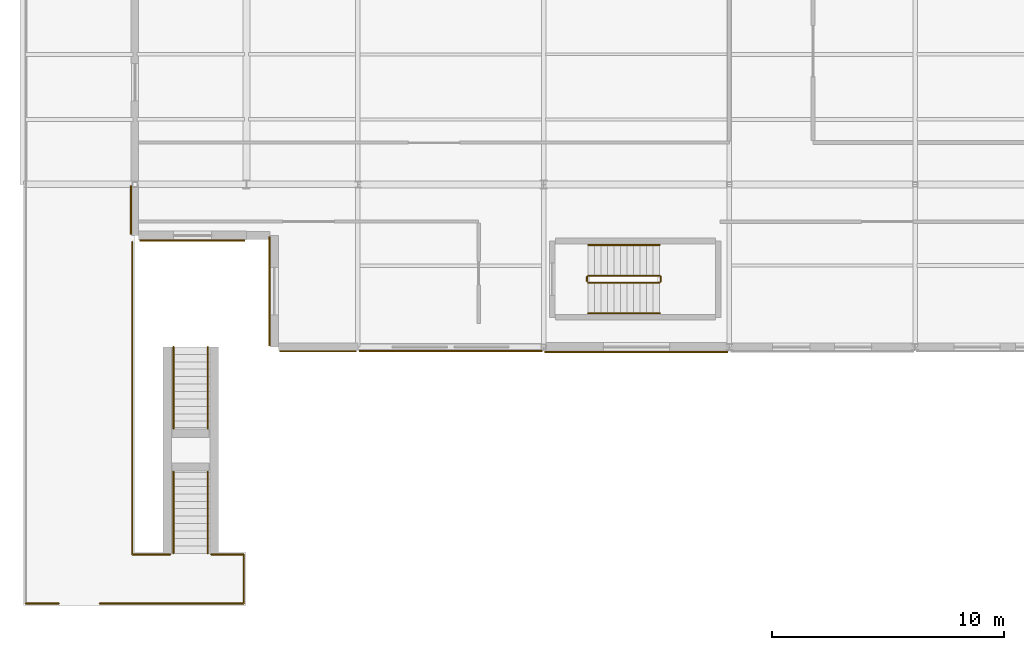
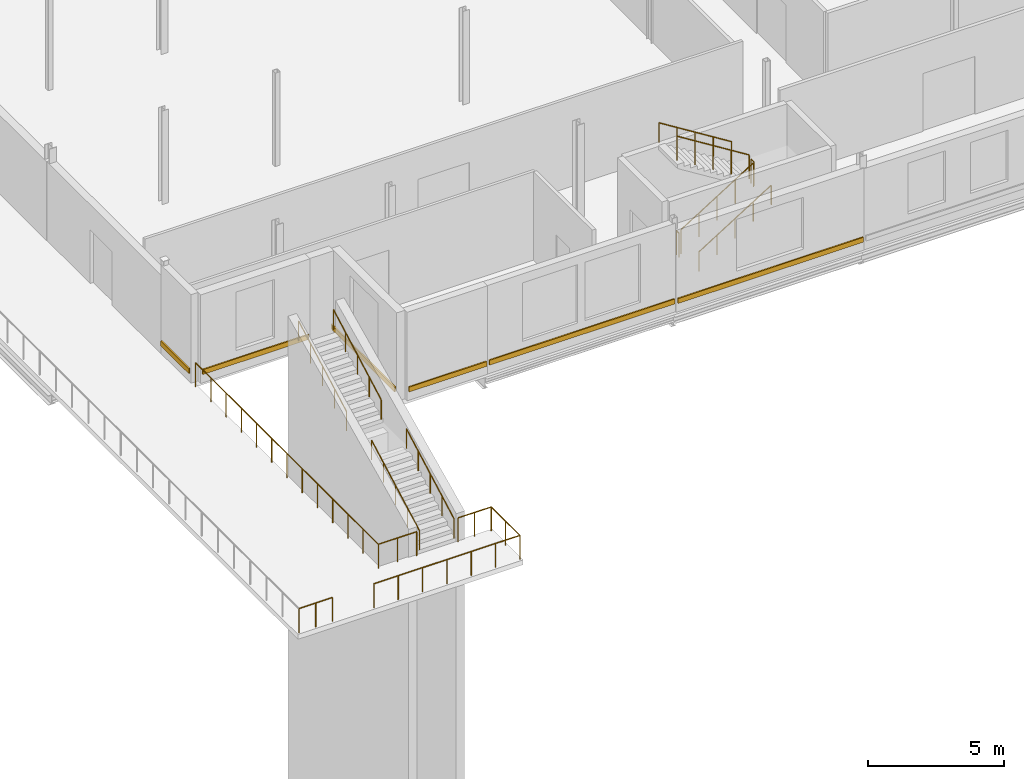
# One storey, part 91 of 101: 13 railings, 6 coverings.
"""IFC4 building model written with IfcOpenShell, lengths in metres."""

from ifc_helpers import new_model, si_unit, direction, frame, origin, origin_2d, place, context, subcontext, project, spatial, rectangle, circle, extrude, material, layer, layer_set, type_object, element, save


model = new_model("IFC4")

# Units and contexts
model_context = context("Model", 3, precision=1e-05, world=origin(), true_north=direction((0.0, 1.0)))
body_context = subcontext(model_context, "Body", "Model", "MODEL_VIEW")
ifc_project = project(units=[si_unit("LENGTHUNIT", "METRE"), si_unit("AREAUNIT", "SQUARE_METRE"), si_unit("VOLUMEUNIT", "CUBIC_METRE"), si_unit("PLANEANGLEUNIT", "RADIAN"), si_unit("MASSUNIT", "GRAM", prefix="KILO")], contexts=[model_context])

# Site, building, storey
site_placement = place(None, origin())
site = spatial("IfcSite", under=ifc_project, at=site_placement, CompositionType="ELEMENT")
building_placement = place(site_placement, origin())
building = spatial("IfcBuilding", under=site, at=building_placement, Name="Vekula Escarpment Museum", CompositionType="ELEMENT")
storey_placement = place(building_placement, frame((0.0, 0.0, 18.0)))
storey = spatial("IfcBuildingStorey", under=building, at=storey_placement, Name="L04", CompositionType="ELEMENT", Elevation=18.0)

# Coverings
ifc_material_1 = material(Name="Polychrome limestone almasik string-course band", Category="masonry")
ifc_layer = layer(ifc_material_1, 0.06005859375)
ifc_layer_set = layer_set([ifc_layer], Name="Polychrome limestone almasik string-course band")
covering_type = type_object("IfcCoveringType", Name="COV-ALM-BAND", PredefinedType="CLADDING", material=ifc_layer_set)
covering_1_placement = place(storey_placement, frame((20.198974609375, 55.0, 0.41015625), z_axis=(0.0, 0.0, 1.0), x_axis=(0.0, 1.0, 0.0)))
element("IfcCovering", 1, at=covering_1_placement, inside=storey, type_object=covering_type, Name="Almasik Stone String Course L04-0575", PredefinedType="CLADDING", context=body_context, shape_type="SweptSolid", body=[
    extrude(rectangle(XDim=4.679931640625, YDim=0.06005859375, at=origin_2d()), origin(), (0.0, 0.0, 1.0), 0.219970703125),
])
covering_2_placement = place(storey_placement, frame((22.28955078125, 52.4140625, 0.41015625), z_axis=(0.0, 0.0, 1.0), x_axis=(1.0, 0.0, 0.0)))
element("IfcCovering", 2, at=covering_2_placement, inside=storey, type_object=covering_type, Name="Almasik Stone String Course L04-0576", PredefinedType="CLADDING", context=body_context, shape_type="SweptSolid", body=[
    extrude(rectangle(XDim=3.301025390625, YDim=0.06005859375, at=origin_2d()), origin(), (0.0, 0.0, 1.0), 0.219970703125),
])
for number, where, z_axis, x_axis, name in (
    (3, (28.0, 52.424072265625, 0.41015625), (0.0, 0.0, 1.0), (1.0, 0.0, 0.0), "Almasik Stone String Course L04-0577"),
    (4, (36.0, 52.384033203125, 0.41015625), (0.0, 0.0, 1.0), (1.0, 0.0, 0.0), "Almasik Stone String Course L04-0578"),
):
    element("IfcCovering", number, at=place(storey_placement, frame(where, z_axis=z_axis, x_axis=x_axis)), inside=storey, type_object=covering_type, Name=name, PredefinedType="CLADDING", context=body_context, shape_type="SweptSolid", body=[
        extrude(rectangle(XDim=7.8798828125, YDim=0.06005859375, at=origin_2d()), origin(), (0.0, 0.0, 1.0), 0.219970703125),
    ])
covering_3_placement = place(storey_placement, frame((14.22412109375, 58.5, 0.41015625), z_axis=(0.0, 0.0, 1.0), x_axis=(0.0, 1.0, 0.0)))
element("IfcCovering", 5, at=covering_3_placement, inside=storey, type_object=covering_type, Name="Almasik Stone String Course L04-0632", PredefinedType="CLADDING", context=body_context, shape_type="SweptSolid", body=[
    extrude(rectangle(XDim=2.080078125, YDim=0.06005859375, at=origin_2d()), origin(), (0.0, 0.0, 1.0), 0.219970703125),
])
covering_4_placement = place(storey_placement, frame((16.876953125, 57.18408203125, 0.41015625), z_axis=(0.0, 0.0, 1.0), x_axis=(1.0, 0.0, 0.0)))
element("IfcCovering", 6, at=covering_4_placement, inside=storey, type_object=covering_type, Name="Almasik Stone String Course L04-0633", PredefinedType="CLADDING", context=body_context, shape_type="SweptSolid", body=[
    extrude(rectangle(XDim=4.52587890625, YDim=0.06005859375, at=origin_2d()), origin(), (0.0, 0.0, 1.0), 0.219970703125),
])

# Railings
ifc_material_2 = material(Name="Painted Steel S355 stair guard", Category="steel")
railing_type_1 = type_object("IfcRailingType", Name="RL-STAIR-GUARD", PredefinedType="GUARDRAIL", material=ifc_material_2)
railing_1_placement = place(storey_placement, frame((33.919921875, 55.3701171875, 0.175048828125)))
element("IfcRailing", 7, at=railing_1_placement, inside=storey, type_object=railing_type_1, Name="L04 ST-04 stair guard 1", PredefinedType="GUARDRAIL", context=body_context, shape_type="SweptSolid", body=[
    extrude(circle(Radius=0.02392578125, at=origin_2d()), frame((0.0, 0.0, 1.076171875), z_axis=(0.847998304005, 0.0, 0.529998940003), x_axis=(0.0, 1.0, 0.0)), (0.0, 0.0, 1.0), 3.632080078125),
    extrude(circle(Radius=0.02099609375, at=origin_2d()), origin(), (0.0, 0.0, 1.0), 1.052001953125),
    extrude(circle(Radius=0.02099609375, at=origin_2d()), frame((0.77001953125, 0.0, 0.481201171875)), (0.0, 0.0, 1.0), 1.052001953125),
    extrude(circle(Radius=0.02099609375, at=origin_2d()), frame((1.5400390625, 0.0, 0.96240234375)), (0.0, 0.0, 1.0), 1.052001953125),
    extrude(circle(Radius=0.02099609375, at=origin_2d()), frame((2.31005859375, 0.0, 1.44384765625)), (0.0, 0.0, 1.0), 1.052001953125),
    extrude(circle(Radius=0.02099609375, at=origin_2d()), frame((3.080078125, 0.0, 1.925048828125)), (0.0, 0.0, 1.0), 1.052001953125),
])
railing_2_placement = place(storey_placement, frame((37.050048828125, 55.419921875, 2.10009765625)))
element("IfcRailing", 8, at=railing_2_placement, inside=storey, type_object=railing_type_1, Name="L04 ST-04 stair guard 2", PredefinedType="GUARDRAIL", context=body_context, shape_type="SweptSolid", body=[
    extrude(circle(Radius=0.02392578125, at=origin_2d()), frame((0.0, 0.0, 1.076171875), z_axis=(0.0, 1.0, 0.0), x_axis=(-1.0, 0.0, 0.0)), (0.0, 0.0, 1.0), 0.2001953125),
    extrude(circle(Radius=0.02099609375, at=origin_2d()), origin(), (0.0, 0.0, 1.0), 1.052001953125),
    extrude(circle(Radius=0.02099609375, at=origin_2d()), frame((0.0, 0.2001953125, 0.0)), (0.0, 0.0, 1.0), 1.052001953125),
])
railing_3_placement = place(storey_placement, frame((37.0, 55.669921875, 2.27490234375)))
element("IfcRailing", 9, at=railing_3_placement, inside=storey, type_object=railing_type_1, Name="L04 ST-04 stair guard 3", PredefinedType="GUARDRAIL", context=body_context, shape_type="SweptSolid", body=[
    extrude(circle(Radius=0.02392578125, at=origin_2d()), frame((0.0, 0.0, 1.076171875), z_axis=(-0.847998304005, 0.0, 0.529998940003), x_axis=(0.0, -1.0, 0.0)), (0.0, 0.0, 1.0), 3.632080078125),
    extrude(circle(Radius=0.02099609375, at=origin_2d()), origin(), (0.0, 0.0, 1.0), 1.052001953125),
    extrude(circle(Radius=0.02099609375, at=origin_2d()), frame((-0.77001953125, 0.0, 0.481201171875)), (0.0, 0.0, 1.0), 1.052001953125),
    extrude(circle(Radius=0.02099609375, at=origin_2d()), frame((-1.5400390625, 0.0, 0.96240234375)), (0.0, 0.0, 1.0), 1.052001953125),
    extrude(circle(Radius=0.02099609375, at=origin_2d()), frame((-2.31005859375, 0.0, 1.44384765625)), (0.0, 0.0, 1.0), 1.052001953125),
    extrude(circle(Radius=0.02099609375, at=origin_2d()), frame((-3.080078125, 0.0, 1.925048828125)), (0.0, 0.0, 1.0), 1.052001953125),
])
railing_4_placement = place(storey_placement, frame((33.8701171875, 55.419921875, 0.0)))
element("IfcRailing", 10, at=railing_4_placement, inside=storey, type_object=railing_type_1, Name="L04 ST-04 stair guard 4", PredefinedType="GUARDRAIL", context=body_context, shape_type="SweptSolid", body=[
    extrude(circle(Radius=0.02392578125, at=origin_2d()), frame((0.0, 0.0, 1.076171875), z_axis=(0.0, 1.0, 0.0), x_axis=(-1.0, 0.0, 0.0)), (0.0, 0.0, 1.0), 0.2001953125),
    extrude(circle(Radius=0.02099609375, at=origin_2d()), origin(), (0.0, 0.0, 1.0), 1.052001953125),
    extrude(circle(Radius=0.02099609375, at=origin_2d()), frame((0.0, 0.2001953125, 0.0)), (0.0, 0.0, 1.0), 1.052001953125),
])
ifc_material_3 = material(Name="Brushed stainless steel handrail", Category="steel")
railing_type_2 = type_object("IfcRailingType", Name="RL-STAIR-HAND", PredefinedType="HANDRAIL", material=ifc_material_3)
for number, where, name in (
    (11, (16.06005859375, 43.7099609375, 0.175048828125), "Escarpment Plinth Stair Handrail ST-AMP-S4-1L"),
    (12, (17.5400390625, 43.7099609375, 0.175048828125), "Escarpment Plinth Stair Handrail ST-AMP-S4-1R"),
    (13, (16.06005859375, 49.080078125, 2.27490234375), "Escarpment Plinth Stair Handrail ST-AMP-S4-2L"),
    (14, (17.5400390625, 49.080078125, 2.27490234375), "Escarpment Plinth Stair Handrail ST-AMP-S4-2R"),
):
    element("IfcRailing", number, at=place(storey_placement, frame(where)), inside=storey, type_object=railing_type_2, Name=name, PredefinedType="HANDRAIL", context=body_context, shape_type="SweptSolid", body=[
        extrude(circle(Radius=0.02392578125, at=origin_2d()), frame((0.0, 0.0, 0.8759765625), z_axis=(0.0, 0.877367136839, 0.479819661117), x_axis=(-1.0, 0.0, 0.0)), (0.0, 0.0, 1.0), 4.011962890625),
        extrude(circle(Radius=0.02099609375, at=origin_2d()), origin(), (0.0, 0.0, 1.0), 0.851806640625),
        extrude(circle(Radius=0.02099609375, at=origin_2d()), frame((0.0, 0.8798828125, 0.481201171875)), (0.0, 0.0, 1.0), 0.851806640625),
        extrude(circle(Radius=0.02099609375, at=origin_2d()), frame((0.0, 1.760009765625, 0.96240234375)), (0.0, 0.0, 1.0), 0.851806640625),
        extrude(circle(Radius=0.02099609375, at=origin_2d()), frame((0.0, 2.64013671875, 1.44384765625)), (0.0, 0.0, 1.0), 0.851806640625),
        extrude(circle(Radius=0.02099609375, at=origin_2d()), frame((0.0, 3.52001953125, 1.925048828125)), (0.0, 0.0, 1.0), 0.851806640625),
    ])
railing_5_placement = place(storey_placement, frame((33.919921875, 54.050048828125, 0.175048828125)))
element("IfcRailing", 15, at=railing_5_placement, inside=storey, type_object=railing_type_2, Name="L04 ST-04 stair handrail 1", PredefinedType="HANDRAIL", context=body_context, shape_type="SweptSolid", body=[
    extrude(circle(Radius=0.02392578125, at=origin_2d()), frame((0.0, 0.0, 0.8759765625), z_axis=(0.847998304005, 0.0, 0.529998940003), x_axis=(0.0, 1.0, 0.0)), (0.0, 0.0, 1.0), 3.632080078125),
    extrude(circle(Radius=0.02099609375, at=origin_2d()), origin(), (0.0, 0.0, 1.0), 0.851806640625),
    extrude(circle(Radius=0.02099609375, at=origin_2d()), frame((0.77001953125, 0.0, 0.481201171875)), (0.0, 0.0, 1.0), 0.851806640625),
    extrude(circle(Radius=0.02099609375, at=origin_2d()), frame((1.5400390625, 0.0, 0.96240234375)), (0.0, 0.0, 1.0), 0.851806640625),
    extrude(circle(Radius=0.02099609375, at=origin_2d()), frame((2.31005859375, 0.0, 1.44384765625)), (0.0, 0.0, 1.0), 0.851806640625),
    extrude(circle(Radius=0.02099609375, at=origin_2d()), frame((3.080078125, 0.0, 1.925048828125)), (0.0, 0.0, 1.0), 0.851806640625),
])
railing_6_placement = place(storey_placement, frame((37.0, 56.989990234375, 2.27490234375)))
element("IfcRailing", 16, at=railing_6_placement, inside=storey, type_object=railing_type_2, Name="L04 ST-04 stair handrail 2", PredefinedType="HANDRAIL", context=body_context, shape_type="SweptSolid", body=[
    extrude(circle(Radius=0.02392578125, at=origin_2d()), frame((0.0, 0.0, 0.8759765625), z_axis=(-0.847998304005, 0.0, 0.529998940003), x_axis=(0.0, -1.0, 0.0)), (0.0, 0.0, 1.0), 3.632080078125),
    extrude(circle(Radius=0.02099609375, at=origin_2d()), origin(), (0.0, 0.0, 1.0), 0.851806640625),
    extrude(circle(Radius=0.02099609375, at=origin_2d()), frame((-0.77001953125, 0.0, 0.481201171875)), (0.0, 0.0, 1.0), 0.851806640625),
    extrude(circle(Radius=0.02099609375, at=origin_2d()), frame((-1.5400390625, 0.0, 0.96240234375)), (0.0, 0.0, 1.0), 0.851806640625),
    extrude(circle(Radius=0.02099609375, at=origin_2d()), frame((-2.31005859375, 0.0, 1.44384765625)), (0.0, 0.0, 1.0), 0.851806640625),
    extrude(circle(Radius=0.02099609375, at=origin_2d()), frame((-3.080078125, 0.0, 1.925048828125)), (0.0, 0.0, 1.0), 0.851806640625),
])
ifc_material_4 = material(Name="Bronze-coated Steel S355 balustrade", Category="steel")
railing_type_3 = type_object("IfcRailingType", Name="RL-TER-GUARD", PredefinedType="GUARDRAIL", material=ifc_material_4)
railing_7_placement = place(storey_placement, frame((14.2900390625, 57.1201171875, 0.0)))
element("IfcRailing", 17, at=railing_7_placement, inside=storey, type_object=railing_type_3, Name="Terrace Balustrade L04-033", PredefinedType="GUARDRAIL", context=body_context, shape_type="SweptSolid", body=[
    extrude(circle(Radius=0.02392578125, at=origin_2d()), frame((0.0, 0.0, 1.076171875), z_axis=(0.0, -1.0, 0.0), x_axis=(1.0, 0.0, 0.0)), (0.0, 0.0, 1.0), 13.460205078125),
    extrude(circle(Radius=0.02392578125, at=origin_2d()), frame((0.0, -13.460205078125, 1.076171875), z_axis=(1.0, 0.0, 0.0), x_axis=(0.0, 1.0, 0.0)), (0.0, 0.0, 1.0), 1.6298828125),
    extrude(circle(Radius=0.02099609375, at=origin_2d()), origin(), (0.0, 0.0, 1.0), 1.052001953125),
    extrude(circle(Radius=0.02099609375, at=origin_2d()), frame((0.0, -1.12158203125, 0.0)), (0.0, 0.0, 1.0), 1.052001953125),
    extrude(circle(Radius=0.02099609375, at=origin_2d()), frame((0.0, -2.243408203125, 0.0)), (0.0, 0.0, 1.0), 1.052001953125),
    extrude(circle(Radius=0.02099609375, at=origin_2d()), frame((0.0, -3.364990234375, 0.0)), (0.0, 0.0, 1.0), 1.052001953125),
    extrude(circle(Radius=0.02099609375, at=origin_2d()), frame((0.0, -4.48681640625, 0.0)), (0.0, 0.0, 1.0), 1.052001953125),
    extrude(circle(Radius=0.02099609375, at=origin_2d()), frame((0.0, -5.6083984375, 0.0)), (0.0, 0.0, 1.0), 1.052001953125),
    extrude(circle(Radius=0.02099609375, at=origin_2d()), frame((0.0, -6.72998046875, 0.0)), (0.0, 0.0, 1.0), 1.052001953125),
    extrude(circle(Radius=0.02099609375, at=origin_2d()), frame((0.0, -7.851806640625, 0.0)), (0.0, 0.0, 1.0), 1.052001953125),
    extrude(circle(Radius=0.02099609375, at=origin_2d()), frame((0.0, -8.973388671875, 0.0)), (0.0, 0.0, 1.0), 1.052001953125),
    extrude(circle(Radius=0.02099609375, at=origin_2d()), frame((0.0, -10.09521484375, 0.0)), (0.0, 0.0, 1.0), 1.052001953125),
    extrude(circle(Radius=0.02099609375, at=origin_2d()), frame((0.0, -11.216796875, 0.0)), (0.0, 0.0, 1.0), 1.052001953125),
    extrude(circle(Radius=0.02099609375, at=origin_2d()), frame((0.0, -12.338623046875, 0.0)), (0.0, 0.0, 1.0), 1.052001953125),
    extrude(circle(Radius=0.02099609375, at=origin_2d()), frame((0.0, -13.460205078125, 0.0)), (0.0, 0.0, 1.0), 1.052001953125),
    extrude(circle(Radius=0.02099609375, at=origin_2d()), frame((0.81494140625, -13.460205078125, 0.0)), (0.0, 0.0, 1.0), 1.052001953125),
    extrude(circle(Radius=0.02099609375, at=origin_2d()), frame((1.6298828125, -13.460205078125, 0.0)), (0.0, 0.0, 1.0), 1.052001953125),
])
railing_8_placement = place(storey_placement, frame((17.679931640625, 43.659912109375, 0.0)))
element("IfcRailing", 18, at=railing_8_placement, inside=storey, type_object=railing_type_3, Name="Terrace Balustrade L04-034", PredefinedType="GUARDRAIL", context=body_context, shape_type="SweptSolid", body=[
    extrude(circle(Radius=0.02392578125, at=origin_2d()), frame((0.0, 0.0, 1.076171875), z_axis=(1.0, 0.0, 0.0), x_axis=(0.0, 1.0, 0.0)), (0.0, 0.0, 1.0), 1.41015625),
    extrude(circle(Radius=0.02392578125, at=origin_2d()), frame((1.41015625, 0.0, 1.076171875), z_axis=(0.0, -1.0, 0.0), x_axis=(1.0, 0.0, 0.0)), (0.0, 0.0, 1.0), 2.10986328125),
    extrude(circle(Radius=0.02392578125, at=origin_2d()), frame((1.41015625, -2.10986328125, 1.076171875), z_axis=(-1.0, 0.0, 0.0), x_axis=(0.0, -1.0, 0.0)), (0.0, 0.0, 1.0), 6.210205078125),
    extrude(circle(Radius=0.02099609375, at=origin_2d()), origin(), (0.0, 0.0, 1.0), 1.052001953125),
    extrude(circle(Radius=0.02099609375, at=origin_2d()), frame((0.705078125, 0.0, 0.0)), (0.0, 0.0, 1.0), 1.052001953125),
    extrude(circle(Radius=0.02099609375, at=origin_2d()), frame((1.41015625, 0.0, 0.0)), (0.0, 0.0, 1.0), 1.052001953125),
    extrude(circle(Radius=0.02099609375, at=origin_2d()), frame((1.41015625, -1.054931640625, 0.0)), (0.0, 0.0, 1.0), 1.052001953125),
    extrude(circle(Radius=0.02099609375, at=origin_2d()), frame((1.41015625, -2.10986328125, 0.0)), (0.0, 0.0, 1.0), 1.052001953125),
    extrude(circle(Radius=0.02099609375, at=origin_2d()), frame((0.375, -2.10986328125, 0.0)), (0.0, 0.0, 1.0), 1.052001953125),
    extrude(circle(Radius=0.02099609375, at=origin_2d()), frame((-0.659912109375, -2.10986328125, 0.0)), (0.0, 0.0, 1.0), 1.052001953125),
    extrude(circle(Radius=0.02099609375, at=origin_2d()), frame((-1.69482421875, -2.10986328125, 0.0)), (0.0, 0.0, 1.0), 1.052001953125),
    extrude(circle(Radius=0.02099609375, at=origin_2d()), frame((-2.72998046875, -2.10986328125, 0.0)), (0.0, 0.0, 1.0), 1.052001953125),
    extrude(circle(Radius=0.02099609375, at=origin_2d()), frame((-3.76513671875, -2.10986328125, 0.0)), (0.0, 0.0, 1.0), 1.052001953125),
    extrude(circle(Radius=0.02099609375, at=origin_2d()), frame((-4.800048828125, -2.10986328125, 0.0)), (0.0, 0.0, 1.0), 1.052001953125),
])
railing_9_placement = place(storey_placement, frame((11.1201171875, 41.550048828125, 0.0)))
element("IfcRailing", 19, at=railing_9_placement, inside=storey, type_object=railing_type_3, Name="Terrace Balustrade L04-035", PredefinedType="GUARDRAIL", context=body_context, shape_type="SweptSolid", body=[
    extrude(circle(Radius=0.02392578125, at=origin_2d()), frame((0.0, 0.0, 1.076171875), z_axis=(-1.0, 0.0, 0.0), x_axis=(0.0, -1.0, 0.0)), (0.0, 0.0, 1.0), 1.43017578125),
    extrude(circle(Radius=0.02099609375, at=origin_2d()), origin(), (0.0, 0.0, 1.0), 1.052001953125),
    extrude(circle(Radius=0.02099609375, at=origin_2d()), frame((-0.715087890625, 0.0, 0.0)), (0.0, 0.0, 1.0), 1.052001953125),
    extrude(circle(Radius=0.02099609375, at=origin_2d()), frame((-1.43017578125, 0.0, 0.0)), (0.0, 0.0, 1.0), 1.052001953125),
])

save(model, "model.ifc")
